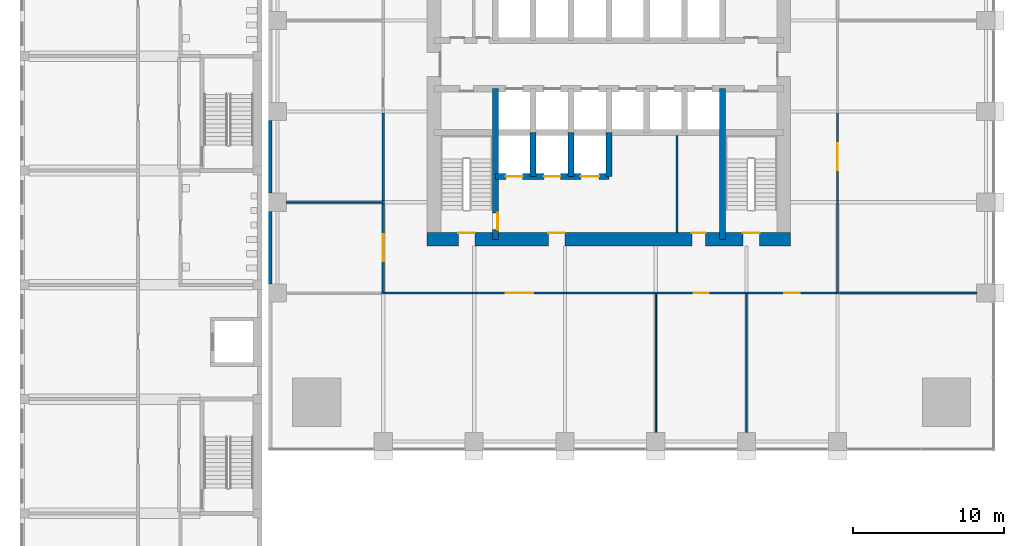
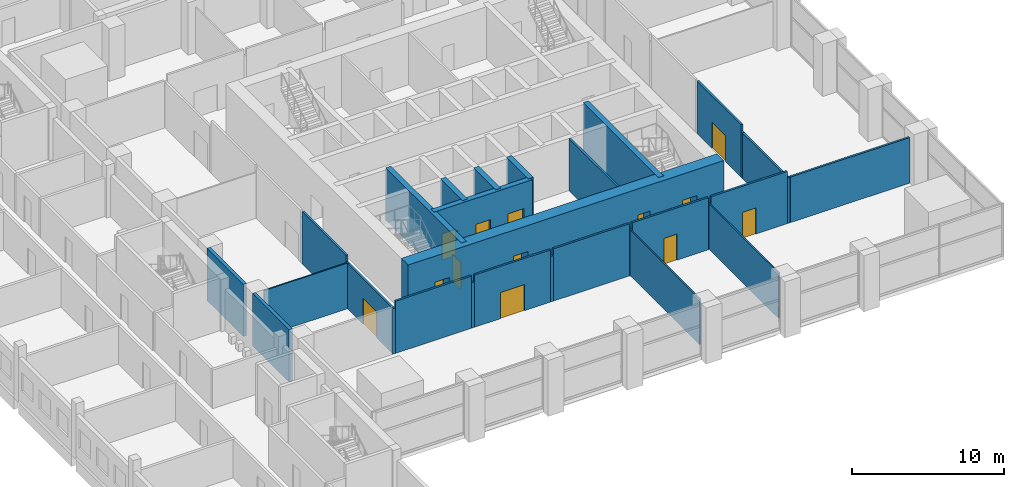
# One storey, part 11 of 25: 31 walls, 13 doors, 13 openings.
"""IFC4 building model written with IfcOpenShell, lengths in metres."""

from ifc_helpers import new_model, si_unit, direction, frame, frame_2d, origin, place, context, subcontext, project, spatial, rectangle, extrude, material, layer, layer_set, type_object, element, fill, save


model = new_model("IFC4")

# Units and contexts
model_context = context("Model", 3, precision=1e-05, world=origin(), true_north=direction((0.0, 1.0)))
body_context = subcontext(model_context, "Body", "Model", "MODEL_VIEW")
ifc_project = project(units=[si_unit("LENGTHUNIT", "METRE"), si_unit("AREAUNIT", "SQUARE_METRE"), si_unit("VOLUMEUNIT", "CUBIC_METRE"), si_unit("PLANEANGLEUNIT", "RADIAN"), si_unit("MASSUNIT", "GRAM", prefix="KILO")], contexts=[model_context])

# Site, building, storey
site_placement = place(None, origin())
site = spatial("IfcSite", under=ifc_project, at=site_placement, CompositionType="ELEMENT")
building_placement = place(site_placement, origin())
building = spatial("IfcBuilding", under=site, at=building_placement, Name="Amberfall Residences", CompositionType="ELEMENT")
storey_placement = place(building_placement, frame((0.0, 0.0, 14.5)))
storey = spatial("IfcBuildingStorey", under=building, at=storey_placement, Name="L03", CompositionType="ELEMENT", Elevation=14.5)

# Wall, opening, door
ifc_material_1 = material(Name="Concrete C80", Category="concrete")
ifc_layer_1 = layer(ifc_material_1, 0.39990234375)
ifc_layer_set_1 = layer_set([ifc_layer_1], Name="Core wall 400 C80")
wall_type_1 = type_object("IfcWallType", Name="Core wall 400 C80", PredefinedType="SHEAR", material=ifc_layer_set_1)
wall_1_placement = place(storey_placement, frame((67.0, 33.949951171875, 0.0), z_axis=(0.0, 0.0, 1.0), x_axis=(0.0, 1.0, 0.0)))
wall_1 = element("IfcWall", 1, at=wall_1_placement, inside=storey, type_object=wall_type_1, Name="Core wall RW2 L03 V45S", PredefinedType="SHEAR", context=body_context, shape_type="SweptSolid", body=[
    extrude(rectangle(XDim=9.949951171875, YDim=0.39990234375, at=frame_2d((4.97509765625, 0.0))), origin(), (0.0, 0.0, 1.0), 4.199951171875),
])
opening_1_placement = place(wall_1_placement, frame((0.64990234375, 0.0, 0.0)))
opening_1 = element("IfcOpeningElement", 2, at=opening_1_placement, cuts=wall_1, Name="Opening FL1", PredefinedType="OPENING", context=body_context, shape_type="SweptSolid", body=[
    extrude(rectangle(XDim=1.10009765625, YDim=2.10009765625, at=frame_2d((0.550048828125, 1.050048828125))), frame((0.0, 0.2099609375, 0.0), z_axis=(0.0, -1.0, 0.0), x_axis=(1.0, 0.0, 0.0)), (0.0, 0.0, 1.0), 0.419921875),
])
ifc_material_2 = material(Name="Steel fire door set", Category="steel")
door_type_1 = type_object("IfcDoorType", Name="Firefighting lobby door 1100 x 2100", OperationType="SINGLE_SWING_LEFT", PredefinedType="DOOR", material=ifc_material_2)
door_1_placement = place(opening_1_placement, origin())
door_1 = element("IfcDoor", 3, at=door_1_placement, inside=storey, type_object=door_type_1, Name="FL1 L03", OperationType="SINGLE_SWING_RIGHT", OverallHeight=2.10009765625, OverallWidth=1.10009765625, PredefinedType="DOOR", context=body_context, shape_type="SweptSolid", body=[
    extrude(rectangle(XDim=1.10009765625, YDim=2.10009765625, at=frame_2d((0.550048828125, 1.050048828125))), frame((0.0, -0.1376953125, 0.0), z_axis=(0.0, -1.0, 0.0), x_axis=(1.0, 0.0, 0.0)), (0.0, 0.0, 1.0), 0.050048828125),
])
fill(opening_1, door_1)

# Wall
wall_2_placement = place(storey_placement, frame((82.0, 33.949951171875, 0.0), z_axis=(0.0, 0.0, 1.0), x_axis=(0.0, 1.0, 0.0)))
element("IfcWall", 4, at=wall_2_placement, inside=storey, type_object=wall_type_1, Name="Core wall RW2 L03 V195S", PredefinedType="SHEAR", context=body_context, shape_type="SweptSolid", body=[
    extrude(rectangle(XDim=9.949951171875, YDim=0.39990234375, at=frame_2d((4.97509765625, 0.0))), origin(), (0.0, 0.0, 1.0), 4.199951171875),
])

# Wall, openings, doors
wall_3_placement = place(storey_placement, frame((67.0, 38.10009765625, 0.0), z_axis=(0.0, 0.0, 1.0), x_axis=(1.0, 0.0, 0.0)))
wall_3 = element("IfcWall", 5, at=wall_3_placement, inside=storey, type_object=wall_type_1, Name="Core wall RW2 L03 FFF", PredefinedType="SHEAR", context=body_context, shape_type="SweptSolid", body=[
    extrude(rectangle(XDim=7.5, YDim=0.39990234375, at=frame_2d((3.75, 0.0))), origin(), (0.0, 0.0, 1.0), 4.199951171875),
])
opening_2_placement = place(wall_3_placement, frame((0.699951171875, 0.0, 0.0)))
opening_2 = element("IfcOpeningElement", 6, at=opening_2_placement, cuts=wall_3, Name="Opening LD2", PredefinedType="OPENING", context=body_context, shape_type="SweptSolid", body=[
    extrude(rectangle(XDim=1.10009765625, YDim=2.10009765625, at=frame_2d((0.550048828125, 1.050048828125))), frame((0.0, 0.2099609375, 0.0), z_axis=(0.0, -1.0, 0.0), x_axis=(1.0, 0.0, 0.0)), (0.0, 0.0, 1.0), 0.419921875),
])
opening_3_placement = place(wall_3_placement, frame((3.199951171875, 0.0, 0.0)))
opening_3 = element("IfcOpeningElement", 7, at=opening_3_placement, cuts=wall_3, Name="Opening LD2", PredefinedType="OPENING", context=body_context, shape_type="SweptSolid", body=[
    extrude(rectangle(XDim=1.10009765625, YDim=2.10009765625, at=frame_2d((0.550048828125, 1.050048828125))), frame((0.0, 0.2099609375, 0.0), z_axis=(0.0, -1.0, 0.0), x_axis=(1.0, 0.0, 0.0)), (0.0, 0.0, 1.0), 0.419921875),
])
opening_4_placement = place(wall_3_placement, frame((5.64990234375, 0.0, 0.0)))
opening_4 = element("IfcOpeningElement", 8, at=opening_4_placement, cuts=wall_3, Name="Opening LD3", PredefinedType="OPENING", context=body_context, shape_type="SweptSolid", body=[
    extrude(rectangle(XDim=1.199951171875, YDim=2.10009765625, at=frame_2d((0.60009765625, 1.050048828125))), frame((0.0, 0.2099609375, 0.0), z_axis=(0.0, -1.0, 0.0), x_axis=(1.0, 0.0, 0.0)), (0.0, 0.0, 1.0), 0.419921875),
])
door_type_2 = type_object("IfcDoorType", Name="Firefighting lift landing door 1100 x 2100", OperationType="DOUBLE_DOOR_SLIDING", PredefinedType="DOOR", material=ifc_material_2)
door_2_placement = place(opening_2_placement, origin())
door_2 = element("IfcDoor", 9, at=door_2_placement, inside=storey, type_object=door_type_2, Name="Landing door FF1 L03", OperationType="DOUBLE_DOOR_SLIDING", OverallHeight=2.10009765625, OverallWidth=1.10009765625, PredefinedType="DOOR", context=body_context, shape_type="SweptSolid", body=[
    extrude(rectangle(XDim=1.10009765625, YDim=2.10009765625, at=frame_2d((0.550048828125, 1.050048828125))), frame((0.0, 0.02490234375, 0.0), z_axis=(0.0, -1.0, 0.0), x_axis=(1.0, 0.0, 0.0)), (0.0, 0.0, 1.0), 0.050048828125),
])
fill(opening_2, door_2)
door_3_placement = place(opening_3_placement, origin())
door_3 = element("IfcDoor", 10, at=door_3_placement, inside=storey, type_object=door_type_2, Name="Landing door FF2 L03", OperationType="DOUBLE_DOOR_SLIDING", OverallHeight=2.10009765625, OverallWidth=1.10009765625, PredefinedType="DOOR", context=body_context, shape_type="SweptSolid", body=[
    extrude(rectangle(XDim=1.10009765625, YDim=2.10009765625, at=frame_2d((0.550048828125, 1.050048828125))), frame((0.0, 0.02490234375, 0.0), z_axis=(0.0, -1.0, 0.0), x_axis=(1.0, 0.0, 0.0)), (0.0, 0.0, 1.0), 0.050048828125),
])
fill(opening_3, door_3)
door_type_3 = type_object("IfcDoorType", Name="Service lift landing door 1200 x 2100", OperationType="DOUBLE_DOOR_SLIDING", PredefinedType="DOOR", material=ifc_material_2)
door_4_placement = place(opening_4_placement, origin())
door_4 = element("IfcDoor", 11, at=door_4_placement, inside=storey, type_object=door_type_3, Name="Landing door SL1 L03", OperationType="DOUBLE_DOOR_SLIDING", OverallHeight=2.10009765625, OverallWidth=1.199951171875, PredefinedType="DOOR", context=body_context, shape_type="SweptSolid", body=[
    extrude(rectangle(XDim=1.199951171875, YDim=2.10009765625, at=frame_2d((0.60009765625, 1.050048828125))), frame((0.0, 0.02490234375, 0.0), z_axis=(0.0, -1.0, 0.0), x_axis=(1.0, 0.0, 0.0)), (0.0, 0.0, 1.0), 0.050048828125),
])
fill(opening_4, door_4)

# Walls
for number, where, z_axis, x_axis, name in (
    (12, (69.5, 38.10009765625, 0.0), (0.0, 0.0, 1.0), (0.0, 1.0, 0.0), "Core wall RW2 L03 FFD1"),
    (13, (72.0, 38.10009765625, 0.0), (0.0, 0.0, 1.0), (0.0, 1.0, 0.0), "Core wall RW2 L03 FFD2"),
    (14, (74.5, 38.10009765625, 0.0), (0.0, 0.0, 1.0), (0.0, 1.0, 0.0), "Core wall RW2 L03 FFD3"),
):
    element("IfcWall", number, at=place(storey_placement, frame(where, z_axis=z_axis, x_axis=x_axis)), inside=storey, type_object=wall_type_1, Name=name, PredefinedType="SHEAR", context=body_context, shape_type="SweptSolid", body=[
        extrude(rectangle(XDim=2.89990234375, YDim=0.39990234375, at=frame_2d((1.449951171875, 0.0))), origin(), (0.0, 0.0, 1.0), 4.199951171875),
    ])

# Wall, openings, doors
ifc_layer_2 = layer(ifc_material_1, 0.89990234375)
ifc_layer_set_2 = layer_set([ifc_layer_2], Name="Core wall 900 C80")
wall_type_2 = type_object("IfcWallType", Name="Core wall 900 C80", PredefinedType="SHEAR", material=ifc_layer_set_2)
wall_4_placement = place(storey_placement, frame((62.5, 33.949951171875, 0.0), z_axis=(0.0, 0.0, 1.0), x_axis=(1.0, 0.0, 0.0)))
wall_4 = element("IfcWall", 15, at=wall_4_placement, inside=storey, type_object=wall_type_2, Name="Core wall RW1 L03 OS", PredefinedType="SHEAR", context=body_context, shape_type="SweptSolid", body=[
    extrude(rectangle(XDim=24.0, YDim=0.89990234375, at=frame_2d((12.0, 0.0))), origin(), (0.0, 0.0, 1.0), 4.199951171875),
])
opening_5_placement = place(wall_4_placement, frame((2.050048828125, 0.0, 0.0)))
opening_5 = element("IfcOpeningElement", 16, at=opening_5_placement, cuts=wall_4, Name="Opening SD1", PredefinedType="OPENING", context=body_context, shape_type="SweptSolid", body=[
    extrude(rectangle(XDim=1.10009765625, YDim=2.10009765625, at=frame_2d((0.550048828125, 1.050048828125))), frame((0.0, 0.4599609375, 0.0), z_axis=(0.0, -1.0, 0.0), x_axis=(1.0, 0.0, 0.0)), (0.0, 0.0, 1.0), 0.919921875),
])
opening_6_placement = place(wall_4_placement, frame((20.85009765625, 0.0, 0.0)))
opening_6 = element("IfcOpeningElement", 17, at=opening_6_placement, cuts=wall_4, Name="Opening SD1", PredefinedType="OPENING", context=body_context, shape_type="SweptSolid", body=[
    extrude(rectangle(XDim=1.10009765625, YDim=2.10009765625, at=frame_2d((0.550048828125, 1.050048828125))), frame((0.0, 0.4599609375, 0.0), z_axis=(0.0, -1.0, 0.0), x_axis=(1.0, 0.0, 0.0)), (0.0, 0.0, 1.0), 0.919921875),
])
opening_7_placement = place(wall_4_placement, frame((8.0, 0.0, 0.0)))
opening_7 = element("IfcOpeningElement", 18, at=opening_7_placement, cuts=wall_4, Name="Opening FL1", PredefinedType="OPENING", context=body_context, shape_type="SweptSolid", body=[
    extrude(rectangle(XDim=1.10009765625, YDim=2.10009765625, at=frame_2d((0.550048828125, 1.050048828125))), frame((0.0, 0.4599609375, 0.0), z_axis=(0.0, -1.0, 0.0), x_axis=(1.0, 0.0, 0.0)), (0.0, 0.0, 1.0), 0.919921875),
])
opening_8_placement = place(wall_4_placement, frame((17.487548828125, 0.0, 0.0)))
opening_8 = element("IfcOpeningElement", 19, at=opening_8_placement, cuts=wall_4, Name="Opening RD1", PredefinedType="OPENING", context=body_context, shape_type="SweptSolid", body=[
    extrude(rectangle(XDim=0.89990234375, YDim=2.10009765625, at=frame_2d((0.449951171875, 1.050048828125))), frame((0.0, 0.4599609375, 0.0), z_axis=(0.0, -1.0, 0.0), x_axis=(1.0, 0.0, 0.0)), (0.0, 0.0, 1.0), 0.919921875),
])
door_5_placement = place(opening_7_placement, origin())
door_5 = element("IfcDoor", 20, at=door_5_placement, inside=storey, type_object=door_type_1, Name="FL1 L03", OperationType="SINGLE_SWING_LEFT", OverallHeight=2.10009765625, OverallWidth=1.10009765625, PredefinedType="DOOR", context=body_context, shape_type="SweptSolid", body=[
    extrude(rectangle(XDim=1.10009765625, YDim=2.10009765625, at=frame_2d((0.550048828125, 1.050048828125))), frame((0.0, 0.4375, 0.0), z_axis=(0.0, -1.0, 0.0), x_axis=(1.0, 0.0, 0.0)), (0.0, 0.0, 1.0), 0.050048828125),
])
fill(opening_7, door_5)
door_type_4 = type_object("IfcDoorType", Name="Service room door 900 x 2100", OperationType="SINGLE_SWING_LEFT", PredefinedType="DOOR", material=ifc_material_2)
door_6_placement = place(opening_8_placement, origin())
door_6 = element("IfcDoor", 21, at=door_6_placement, inside=storey, type_object=door_type_4, Name="RD1 L03", OperationType="SINGLE_SWING_LEFT", OverallHeight=2.10009765625, OverallWidth=0.89990234375, PredefinedType="DOOR", context=body_context, shape_type="SweptSolid", body=[
    extrude(rectangle(XDim=0.89990234375, YDim=2.10009765625, at=frame_2d((0.449951171875, 1.050048828125))), frame((0.0, 0.4375, 0.0), z_axis=(0.0, -1.0, 0.0), x_axis=(1.0, 0.0, 0.0)), (0.0, 0.0, 1.0), 0.050048828125),
])
fill(opening_8, door_6)
door_type_5 = type_object("IfcDoorType", Name="Stair door 1100 x 2100", OperationType="SINGLE_SWING_LEFT", PredefinedType="DOOR", material=ifc_material_2)
door_7_placement = place(opening_5_placement, origin())
door_7 = element("IfcDoor", 22, at=door_7_placement, inside=storey, type_object=door_type_5, Name="SD1 L03", OperationType="SINGLE_SWING_LEFT", OverallHeight=2.10009765625, OverallWidth=1.10009765625, PredefinedType="DOOR", context=body_context, shape_type="SweptSolid", body=[
    extrude(rectangle(XDim=1.10009765625, YDim=2.10009765625, at=frame_2d((0.550048828125, 1.050048828125))), frame((0.0, 0.4375, 0.0), z_axis=(0.0, -1.0, 0.0), x_axis=(1.0, 0.0, 0.0)), (0.0, 0.0, 1.0), 0.050048828125),
])
fill(opening_5, door_7)
door_8_placement = place(opening_6_placement, origin())
door_8 = element("IfcDoor", 23, at=door_8_placement, inside=storey, type_object=door_type_5, Name="SD1 L03", OperationType="SINGLE_SWING_RIGHT", OverallHeight=2.10009765625, OverallWidth=1.10009765625, PredefinedType="DOOR", context=body_context, shape_type="SweptSolid", body=[
    extrude(rectangle(XDim=1.10009765625, YDim=2.10009765625, at=frame_2d((0.550048828125, 1.050048828125))), frame((0.0, 0.4375, 0.0), z_axis=(0.0, -1.0, 0.0), x_axis=(1.0, 0.0, 0.0)), (0.0, 0.0, 1.0), 0.050048828125),
])
fill(opening_6, door_8)

# Walls
ifc_material_3 = material(Name="Gypsum board on steel studs", Category="steel")
ifc_layer_3 = layer(ifc_material_3, 0.10009765625)
ifc_layer_set_3 = layer_set([ifc_layer_3], Name="Partition 100")
wall_type_3 = type_object("IfcWallType", Name="Partition 100", PredefinedType="PARTITIONING", material=ifc_layer_set_3)
wall_5_placement = place(storey_placement, frame((53.199951171875, 36.39990234375, 0.0), z_axis=(0.0, 0.0, 1.0), x_axis=(1.0, 0.0, 0.0)))
element("IfcWall", 24, at=wall_5_placement, inside=storey, type_object=wall_type_3, Name="Partition 100 L03 001", PredefinedType="PARTITIONING", context=body_context, shape_type="SweptSolid", body=[
    extrude(rectangle(XDim=6.324951171875, YDim=0.10009765625, at=frame_2d((3.16259765625, 0.0))), origin(), (0.0, 0.0, 1.0), 3.6669921875),
])
for number, where, z_axis, x_axis, name in (
    (25, (77.60009765625, 21.199951171875, 0.0), (0.0, 0.0, 1.0), (0.0, 1.0, 0.0), "Partition 100 L03 006"),
    (26, (83.60009765625, 21.199951171875, 0.0), (0.0, 0.0, 1.0), (0.0, 1.0, 0.0), "Partition 100 L03 013"),
):
    element("IfcWall", number, at=place(storey_placement, frame(where, z_axis=z_axis, x_axis=x_axis)), inside=storey, type_object=wall_type_3, Name=name, PredefinedType="PARTITIONING", context=body_context, shape_type="SweptSolid", body=[
        extrude(rectangle(XDim=9.125, YDim=0.10009765625, at=frame_2d((4.5625, 0.0))), origin(), (0.0, 0.0, 1.0), 3.660888671875),
    ])
ifc_material_4 = material(Name="Fire-rated gypsum board on steel studs", Category="steel")
ifc_layer_4 = layer(ifc_material_4, 0.14990234375)
ifc_layer_set_4 = layer_set([ifc_layer_4], Name="Partition 150 fire-rated")
wall_type_4 = type_object("IfcWallType", Name="Partition 150 fire-rated", PredefinedType="PARTITIONING", material=ifc_layer_set_4)
wall_6_placement = place(storey_placement, frame((59.49462890625, 30.39990234375, 0.0), z_axis=(0.0, 0.0, 1.0), x_axis=(1.0, 0.0, 0.0)))
element("IfcWall", 27, at=wall_6_placement, inside=storey, type_object=wall_type_4, Name="Partition 150 fire-rated L03 002", PredefinedType="PARTITIONING", context=body_context, shape_type="SweptSolid", body=[
    extrude(rectangle(XDim=0.210693359375, YDim=0.14990234375, at=frame_2d((0.10546875, 0.0))), origin(), (0.0, 0.0, 1.0), 3.660888671875),
])
wall_7_placement = place(storey_placement, frame((59.705322265625, 30.39990234375, 0.0), z_axis=(0.0, 0.0, 1.0), x_axis=(1.0, 0.0, 0.0)))
element("IfcWall", 28, at=wall_7_placement, inside=storey, type_object=wall_type_4, Name="Partition 150 fire-rated L03 003", PredefinedType="PARTITIONING", context=body_context, shape_type="SweptSolid", body=[
    extrude(rectangle(XDim=5.789306640625, YDim=0.14990234375, at=frame_2d((2.89453125, 0.0))), origin(), (0.0, 0.0, 1.0), 4.199951171875),
])
wall_8_placement = place(storey_placement, frame((65.49462890625, 30.39990234375, 0.0), z_axis=(0.0, 0.0, 1.0), x_axis=(1.0, 0.0, 0.0)))
element("IfcWall", 29, at=wall_8_placement, inside=storey, type_object=wall_type_4, Name="Partition 150 fire-rated L03 004", PredefinedType="PARTITIONING", context=body_context, shape_type="SweptSolid", body=[
    extrude(rectangle(XDim=0.210693359375, YDim=0.14990234375, at=frame_2d((0.10546875, 0.0))), origin(), (0.0, 0.0, 1.0), 3.660888671875),
])

# Wall, opening, door
wall_9_placement = place(storey_placement, frame((65.705322265625, 30.39990234375, 0.0), z_axis=(0.0, 0.0, 1.0), x_axis=(1.0, 0.0, 0.0)))
wall_9 = element("IfcWall", 30, at=wall_9_placement, inside=storey, type_object=wall_type_4, Name="Partition 150 fire-rated L03 005", PredefinedType="PARTITIONING", context=body_context, shape_type="SweptSolid", body=[
    extrude(rectangle(XDim=5.789306640625, YDim=0.14990234375, at=frame_2d((2.89453125, 0.0))), origin(), (0.0, 0.0, 1.0), 4.199951171875),
])
opening_9_placement = place(wall_9_placement, frame((1.99462890625, 0.0, 0.0)))
opening_9 = element("IfcOpeningElement", 31, at=opening_9_placement, cuts=wall_9, Name="Opening D5", PredefinedType="OPENING", context=body_context, shape_type="SweptSolid", body=[
    extrude(rectangle(XDim=1.800048828125, YDim=2.10009765625, at=frame_2d((0.89990234375, 1.050048828125))), frame((0.0, 0.0849609375, 0.0), z_axis=(0.0, -1.0, 0.0), x_axis=(1.0, 0.0, 0.0)), (0.0, 0.0, 1.0), 0.169921875),
])
ifc_material_5 = material(Name="Timber veneer door leaf", Category="wood")
door_type_6 = type_object("IfcDoorType", Name="Double door 1800x2100", OperationType="DOUBLE_DOOR_SINGLE_SWING", PredefinedType="DOOR", material=ifc_material_5)
door_9_placement = place(opening_9_placement, origin())
door_9 = element("IfcDoor", 32, at=door_9_placement, inside=storey, type_object=door_type_6, Name="Door Library", OperationType="DOUBLE_DOOR_SINGLE_SWING", OverallHeight=2.10009765625, OverallWidth=1.800048828125, PredefinedType="DOOR", context=body_context, shape_type="SweptSolid", body=[
    extrude(rectangle(XDim=1.800048828125, YDim=2.10009765625, at=frame_2d((0.89990234375, 1.050048828125))), frame((0.0, 0.02490234375, 0.0), z_axis=(0.0, -1.0, 0.0), x_axis=(1.0, 0.0, 0.0)), (0.0, 0.0, 1.0), 0.050048828125),
])
fill(opening_9, door_9)

# Walls
wall_10_placement = place(storey_placement, frame((71.49462890625, 30.39990234375, 0.0), z_axis=(0.0, 0.0, 1.0), x_axis=(1.0, 0.0, 0.0)))
element("IfcWall", 33, at=wall_10_placement, inside=storey, type_object=wall_type_4, Name="Partition 150 fire-rated L03 006", PredefinedType="PARTITIONING", context=body_context, shape_type="SweptSolid", body=[
    extrude(rectangle(XDim=0.210693359375, YDim=0.14990234375, at=frame_2d((0.10546875, 0.0))), origin(), (0.0, 0.0, 1.0), 3.660888671875),
])
wall_11_placement = place(storey_placement, frame((71.705322265625, 30.39990234375, 0.0), z_axis=(0.0, 0.0, 1.0), x_axis=(1.0, 0.0, 0.0)))
element("IfcWall", 34, at=wall_11_placement, inside=storey, type_object=wall_type_4, Name="Partition 150 fire-rated L03 007", PredefinedType="PARTITIONING", context=body_context, shape_type="SweptSolid", body=[
    extrude(rectangle(XDim=5.789306640625, YDim=0.14990234375, at=frame_2d((2.89453125, 0.0))), origin(), (0.0, 0.0, 1.0), 4.199951171875),
])
wall_12_placement = place(storey_placement, frame((77.49462890625, 30.39990234375, 0.0), z_axis=(0.0, 0.0, 1.0), x_axis=(1.0, 0.0, 0.0)))
element("IfcWall", 35, at=wall_12_placement, inside=storey, type_object=wall_type_4, Name="Partition 150 fire-rated L03 008", PredefinedType="PARTITIONING", context=body_context, shape_type="SweptSolid", body=[
    extrude(rectangle(XDim=0.210693359375, YDim=0.14990234375, at=frame_2d((0.10546875, 0.0))), origin(), (0.0, 0.0, 1.0), 3.660888671875),
])

# Wall, opening, door
wall_13_placement = place(storey_placement, frame((77.705322265625, 30.39990234375, 0.0), z_axis=(0.0, 0.0, 1.0), x_axis=(1.0, 0.0, 0.0)))
wall_13 = element("IfcWall", 36, at=wall_13_placement, inside=storey, type_object=wall_type_4, Name="Partition 150 fire-rated L03 009", PredefinedType="PARTITIONING", context=body_context, shape_type="SweptSolid", body=[
    extrude(rectangle(XDim=5.789306640625, YDim=0.14990234375, at=frame_2d((2.89453125, 0.0))), origin(), (0.0, 0.0, 1.0), 4.199951171875),
])
opening_10_placement = place(wall_13_placement, frame((2.39453125, 0.0, 0.0)))
opening_10 = element("IfcOpeningElement", 37, at=opening_10_placement, cuts=wall_13, Name="Opening D2", PredefinedType="OPENING", context=body_context, shape_type="SweptSolid", body=[
    extrude(rectangle(XDim=1.0, YDim=2.10009765625, at=frame_2d((0.5, 1.050048828125))), frame((0.0, 0.0849609375, 0.0), z_axis=(0.0, -1.0, 0.0), x_axis=(1.0, 0.0, 0.0)), (0.0, 0.0, 1.0), 0.169921875),
])
ifc_material_6 = material(Name="Steel fire door leaf", Category="steel")
door_type_7 = type_object("IfcDoorType", Name="Fire door 1000x2100 FD30S", OperationType="SINGLE_SWING_LEFT", PredefinedType="DOOR", material=ifc_material_6)
door_10_placement = place(opening_10_placement, origin())
door_10 = element("IfcDoor", 38, at=door_10_placement, inside=storey, type_object=door_type_7, Name="Door Study room", OperationType="SINGLE_SWING_LEFT", OverallHeight=2.10009765625, OverallWidth=1.0, PredefinedType="DOOR", context=body_context, shape_type="SweptSolid", body=[
    extrude(rectangle(XDim=1.0, YDim=2.10009765625, at=frame_2d((0.5, 1.050048828125))), frame((0.0, 0.02490234375, 0.0), z_axis=(0.0, -1.0, 0.0), x_axis=(1.0, 0.0, 0.0)), (0.0, 0.0, 1.0), 0.050048828125),
])
fill(opening_10, door_10)

# Wall
wall_14_placement = place(storey_placement, frame((83.49462890625, 30.39990234375, 0.0), z_axis=(0.0, 0.0, 1.0), x_axis=(1.0, 0.0, 0.0)))
element("IfcWall", 39, at=wall_14_placement, inside=storey, type_object=wall_type_4, Name="Partition 150 fire-rated L03 010", PredefinedType="PARTITIONING", context=body_context, shape_type="SweptSolid", body=[
    extrude(rectangle(XDim=0.210693359375, YDim=0.14990234375, at=frame_2d((0.10546875, 0.0))), origin(), (0.0, 0.0, 1.0), 3.660888671875),
])

# Wall, opening, door
wall_15_placement = place(storey_placement, frame((83.705322265625, 30.39990234375, 0.0), z_axis=(0.0, 0.0, 1.0), x_axis=(1.0, 0.0, 0.0)))
wall_15 = element("IfcWall", 40, at=wall_15_placement, inside=storey, type_object=wall_type_4, Name="Partition 150 fire-rated L03 011", PredefinedType="PARTITIONING", context=body_context, shape_type="SweptSolid", body=[
    extrude(rectangle(XDim=5.789306640625, YDim=0.14990234375, at=frame_2d((2.89453125, 0.0))), origin(), (0.0, 0.0, 1.0), 4.199951171875),
])
opening_11_placement = place(wall_15_placement, frame((2.39453125, 0.0, 0.0)))
opening_11 = element("IfcOpeningElement", 41, at=opening_11_placement, cuts=wall_15, Name="Opening D2", PredefinedType="OPENING", context=body_context, shape_type="SweptSolid", body=[
    extrude(rectangle(XDim=1.0, YDim=2.10009765625, at=frame_2d((0.5, 1.050048828125))), frame((0.0, 0.0849609375, 0.0), z_axis=(0.0, -1.0, 0.0), x_axis=(1.0, 0.0, 0.0)), (0.0, 0.0, 1.0), 0.169921875),
])
door_11_placement = place(opening_11_placement, origin())
door_11 = element("IfcDoor", 42, at=door_11_placement, inside=storey, type_object=door_type_7, Name="Door Business centre", OperationType="SINGLE_SWING_LEFT", OverallHeight=2.10009765625, OverallWidth=1.0, PredefinedType="DOOR", context=body_context, shape_type="SweptSolid", body=[
    extrude(rectangle(XDim=1.0, YDim=2.10009765625, at=frame_2d((0.5, 1.050048828125))), frame((0.0, 0.02490234375, 0.0), z_axis=(0.0, -1.0, 0.0), x_axis=(1.0, 0.0, 0.0)), (0.0, 0.0, 1.0), 0.050048828125),
])
fill(opening_11, door_11)

# Walls
wall_16_placement = place(storey_placement, frame((89.49462890625, 30.39990234375, 0.0), z_axis=(0.0, 0.0, 1.0), x_axis=(1.0, 0.0, 0.0)))
element("IfcWall", 43, at=wall_16_placement, inside=storey, type_object=wall_type_4, Name="Partition 150 fire-rated L03 012", PredefinedType="PARTITIONING", context=body_context, shape_type="SweptSolid", body=[
    extrude(rectangle(XDim=0.210693359375, YDim=0.14990234375, at=frame_2d((0.10546875, 0.0))), origin(), (0.0, 0.0, 1.0), 3.660888671875),
])
wall_17_placement = place(storey_placement, frame((89.719970703125, 30.39990234375, 0.0), z_axis=(0.0, 0.0, 1.0), x_axis=(1.0, 0.0, 0.0)))
element("IfcWall", 44, at=wall_17_placement, inside=storey, type_object=wall_type_4, Name="Partition 150 fire-rated L03 013", PredefinedType="PARTITIONING", context=body_context, shape_type="SweptSolid", body=[
    extrude(rectangle(XDim=9.080078125, YDim=0.14990234375, at=frame_2d((4.5400390625, 0.0))), origin(), (0.0, 0.0, 1.0), 3.6669921875),
])

# Wall, opening, door
wall_18_placement = place(storey_placement, frame((59.60009765625, 30.47509765625, 0.0), z_axis=(0.0, 0.0, 1.0), x_axis=(0.0, 1.0, 0.0)))
wall_18 = element("IfcWall", 45, at=wall_18_placement, inside=storey, type_object=wall_type_4, Name="Partition 150 fire-rated L03 028", PredefinedType="PARTITIONING", context=body_context, shape_type="SweptSolid", body=[
    extrude(rectangle(XDim=5.8203125, YDim=0.14990234375, at=frame_2d((2.91015625, 0.0))), origin(), (0.0, 0.0, 1.0), 3.660888671875),
])
opening_12_placement = place(wall_18_placement, frame((2.02490234375, 0.0, 0.0)))
opening_12 = element("IfcOpeningElement", 46, at=opening_12_placement, cuts=wall_18, Name="Opening D5", PredefinedType="OPENING", context=body_context, shape_type="SweptSolid", body=[
    extrude(rectangle(XDim=1.800048828125, YDim=2.10009765625, at=frame_2d((0.89990234375, 1.050048828125))), frame((0.0, 0.0849609375, 0.0), z_axis=(0.0, -1.0, 0.0), x_axis=(1.0, 0.0, 0.0)), (0.0, 0.0, 1.0), 0.169921875),
])
door_12_placement = place(opening_12_placement, origin())
door_12 = element("IfcDoor", 47, at=door_12_placement, inside=storey, type_object=door_type_6, Name="Door Music room", OperationType="DOUBLE_DOOR_SINGLE_SWING", OverallHeight=2.10009765625, OverallWidth=1.800048828125, PredefinedType="DOOR", context=body_context, shape_type="SweptSolid", body=[
    extrude(rectangle(XDim=1.800048828125, YDim=2.10009765625, at=frame_2d((0.89990234375, 1.050048828125))), frame((0.0, 0.02490234375, 0.0), z_axis=(0.0, -1.0, 0.0), x_axis=(1.0, 0.0, 0.0)), (0.0, 0.0, 1.0), 0.050048828125),
])
fill(opening_12, door_12)

# Walls
wall_19_placement = place(storey_placement, frame((59.60009765625, 36.30029296875, 0.0), z_axis=(0.0, 0.0, 1.0), x_axis=(0.0, 1.0, 0.0)))
element("IfcWall", 48, at=wall_19_placement, inside=storey, type_object=wall_type_4, Name="Partition 150 fire-rated L03 029", PredefinedType="PARTITIONING", context=body_context, shape_type="SweptSolid", body=[
    extrude(rectangle(XDim=0.204345703125, YDim=0.14990234375, at=frame_2d((0.10205078125, 0.0))), origin(), (0.0, 0.0, 1.0), 3.6669921875),
])
wall_20_placement = place(storey_placement, frame((59.60009765625, 36.504638671875, 0.0), z_axis=(0.0, 0.0, 1.0), x_axis=(0.0, 1.0, 0.0)))
element("IfcWall", 49, at=wall_20_placement, inside=storey, type_object=wall_type_4, Name="Partition 150 fire-rated L03 030", PredefinedType="PARTITIONING", context=body_context, shape_type="SweptSolid", body=[
    extrude(rectangle(XDim=5.790771484375, YDim=0.14990234375, at=frame_2d((2.8955078125, 0.0))), origin(), (0.0, 0.0, 1.0), 4.199951171875),
])
wall_21_placement = place(storey_placement, frame((89.60009765625, 30.47509765625, 0.0), z_axis=(0.0, 0.0, 1.0), x_axis=(0.0, 1.0, 0.0)))
element("IfcWall", 50, at=wall_21_placement, inside=storey, type_object=wall_type_4, Name="Partition 150 fire-rated L03 045", PredefinedType="PARTITIONING", context=body_context, shape_type="SweptSolid", body=[
    extrude(rectangle(XDim=5.819580078125, YDim=0.14990234375, at=frame_2d((2.90966796875, 0.0))), origin(), (0.0, 0.0, 1.0), 3.660888671875),
])
wall_22_placement = place(storey_placement, frame((89.60009765625, 36.299560546875, 0.0), z_axis=(0.0, 0.0, 1.0), x_axis=(0.0, 1.0, 0.0)))
element("IfcWall", 51, at=wall_22_placement, inside=storey, type_object=wall_type_4, Name="Partition 150 fire-rated L03 046", PredefinedType="PARTITIONING", context=body_context, shape_type="SweptSolid", body=[
    extrude(rectangle(XDim=0.205810546875, YDim=0.14990234375, at=frame_2d((0.10302734375, 0.0))), origin(), (0.0, 0.0, 1.0), 3.660888671875),
])

# Wall, opening, door
wall_23_placement = place(storey_placement, frame((89.60009765625, 36.50537109375, 0.0), z_axis=(0.0, 0.0, 1.0), x_axis=(0.0, 1.0, 0.0)))
wall_23 = element("IfcWall", 52, at=wall_23_placement, inside=storey, type_object=wall_type_4, Name="Partition 150 fire-rated L03 047", PredefinedType="PARTITIONING", context=body_context, shape_type="SweptSolid", body=[
    extrude(rectangle(XDim=5.789306640625, YDim=0.14990234375, at=frame_2d((2.89453125, 0.0))), origin(), (0.0, 0.0, 1.0), 4.199951171875),
])
opening_13_placement = place(wall_23_placement, frame((1.99462890625, 0.0, 0.0)))
opening_13 = element("IfcOpeningElement", 53, at=opening_13_placement, cuts=wall_23, Name="Opening D5", PredefinedType="OPENING", context=body_context, shape_type="SweptSolid", body=[
    extrude(rectangle(XDim=1.800048828125, YDim=2.10009765625, at=frame_2d((0.89990234375, 1.050048828125))), frame((0.0, 0.0849609375, 0.0), z_axis=(0.0, -1.0, 0.0), x_axis=(1.0, 0.0, 0.0)), (0.0, 0.0, 1.0), 0.169921875),
])
door_13_placement = place(opening_13_placement, origin())
door_13 = element("IfcDoor", 54, at=door_13_placement, inside=storey, type_object=door_type_6, Name="Door Study lounge", OperationType="DOUBLE_DOOR_SINGLE_SWING", OverallHeight=2.10009765625, OverallWidth=1.800048828125, PredefinedType="DOOR", context=body_context, shape_type="SweptSolid", body=[
    extrude(rectangle(XDim=1.800048828125, YDim=2.10009765625, at=frame_2d((0.89990234375, 1.050048828125))), frame((0.0, 0.02490234375, 0.0), z_axis=(0.0, -1.0, 0.0), x_axis=(1.0, 0.0, 0.0)), (0.0, 0.0, 1.0), 0.050048828125),
])
fill(opening_13, door_13)

# Walls
ifc_material_7 = material(Name="Precast concrete C40", Category="concrete")
ifc_layer_5 = layer(ifc_material_7, 0.25)
ifc_layer_set_5 = layer_set([ifc_layer_5], Name="Podium external wall 250")
wall_type_5 = type_object("IfcWallType", Name="Podium external wall 250", PredefinedType="SOLIDWALL", material=ifc_layer_set_5)
for number, where, z_axis, x_axis, name in (
    (55, (52.125, 31.0, 0.0), (0.0, 0.0, 1.0), (0.0, 1.0, 0.0), "Podium external wall W2"),
    (56, (52.125, 37.0, 0.0), (0.0, 0.0, 1.0), (0.0, 1.0, 0.0), "Podium external wall W3"),
):
    element("IfcWall", number, at=place(storey_placement, frame(where, z_axis=z_axis, x_axis=x_axis)), inside=storey, type_object=wall_type_5, Name=name, PredefinedType="SOLIDWALL", context=body_context, shape_type="SweptSolid", body=[
        extrude(rectangle(XDim=4.800048828125, YDim=0.25, at=frame_2d((2.39990234375, 0.0))), origin(), (0.0, 0.0, 1.0), 4.199951171875),
    ])
ifc_material_8 = material(Name="Concrete blockwork", Category="masonry")
ifc_layer_6 = layer(ifc_material_8, 0.14990234375)
ifc_layer_set_6 = layer_set([ifc_layer_6], Name="Riser wall 150")
wall_type_6 = type_object("IfcWallType", Name="Riser wall 150", PredefinedType="PLUMBINGWALL", material=ifc_layer_set_6)
wall_24_placement = place(storey_placement, frame((79.0, 34.39990234375, 0.0), z_axis=(0.0, 0.0, 1.0), x_axis=(0.0, 1.0, 0.0)))
element("IfcWall", 57, at=wall_24_placement, inside=storey, type_object=wall_type_6, Name="L03 core wall PX", PredefinedType="PLUMBINGWALL", context=body_context, shape_type="SweptSolid", body=[
    extrude(rectangle(XDim=6.400146484375, YDim=0.14990234375, at=frame_2d((3.2001953125, 0.0))), origin(), (0.0, 0.0, 1.0), 4.199951171875),
])

save(model, "model.ifc")
